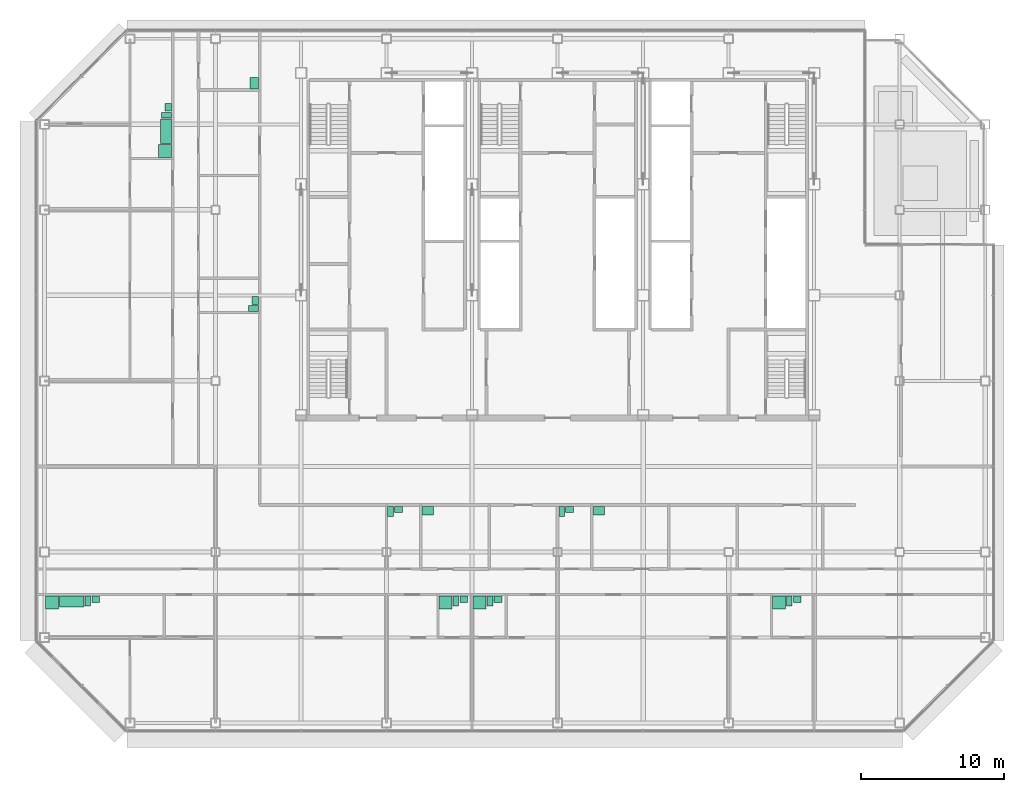
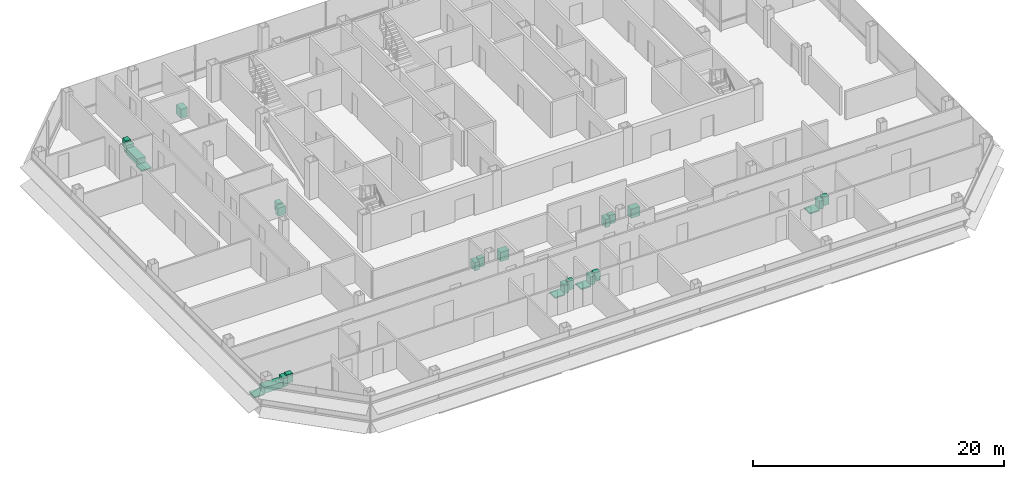
# One storey, part 28 of 29: 26 sanitary terminals.
"""IFC4 building model written with IfcOpenShell, lengths in metres."""

from ifc_helpers import new_model, si_unit, direction, frame, origin, origin_2d, place, context, subcontext, project, spatial, rectangle, extrude, element, save


model = new_model("IFC4")

# Units and contexts
model_context = context("Model", 3, precision=1e-05, world=origin(), true_north=direction((0.0, 1.0)))
body_context = subcontext(model_context, "Body", "Model", "MODEL_VIEW")
ifc_project = project(units=[si_unit("LENGTHUNIT", "METRE"), si_unit("AREAUNIT", "SQUARE_METRE"), si_unit("VOLUMEUNIT", "CUBIC_METRE"), si_unit("PLANEANGLEUNIT", "RADIAN"), si_unit("MASSUNIT", "GRAM", prefix="KILO")], contexts=[model_context])

# Site, building, storey
site_placement = place(None, origin())
site = spatial("IfcSite", under=ifc_project, at=site_placement, CompositionType="ELEMENT")
building_placement = place(site_placement, origin())
building = spatial("IfcBuilding", under=site, at=building_placement, Name="Sorahane Residences", CompositionType="ELEMENT")
storey_placement = place(building_placement, frame((0.0, 0.0, 199.199951171875)))
storey = spatial("IfcBuildingStorey", under=building, at=storey_placement, Name="L46", CompositionType="ELEMENT", Elevation=199.199951171875)

# Sanitary terminals
sanitary_terminal_1_placement = place(storey_placement, frame((-11.469970703125, 8.449951171875, 0.0), z_axis=(0.0, 0.0, 1.0), x_axis=(1.0, 0.0, 0.0)))
element("IfcSanitaryTerminal", 1, at=sanitary_terminal_1_placement, inside=storey, Name="Shower tray En-suite bathroom 46A", PredefinedType="SHOWER", context=body_context, shape_type="SweptSolid", body=[
    extrude(rectangle(XDim=0.89990234375, YDim=0.89990234375, at=origin_2d()), origin(), (0.0, 0.0, 1.0), 0.1201171875),
])
sanitary_terminal_2_placement = place(storey_placement, frame((-10.090087890625, 8.52490234375, 0.0), z_axis=(0.0, 0.0, 1.0), x_axis=(1.0, 0.0, 0.0)))
element("IfcSanitaryTerminal", 2, at=sanitary_terminal_2_placement, inside=storey, Name="Bath En-suite bathroom 46A", PredefinedType="BATH", context=body_context, shape_type="SweptSolid", body=[
    extrude(rectangle(XDim=1.699951171875, YDim=0.75, at=origin_2d()), origin(), (0.0, 0.0, 1.0), 0.56005859375),
])
sanitary_terminal_3_placement = place(storey_placement, frame((-8.9599609375, 8.550048828125, 0.0), z_axis=(0.0, 0.0, 1.0), x_axis=(1.0, 0.0, 0.0)))
element("IfcSanitaryTerminal", 3, at=sanitary_terminal_3_placement, inside=storey, Name="WC pan En-suite bathroom 46A", PredefinedType="TOILETPAN", context=body_context, shape_type="SweptSolid", body=[
    extrude(rectangle(XDim=0.39990234375, YDim=0.699951171875, at=origin_2d()), origin(), (0.0, 0.0, 1.0), 0.800048828125),
])
sanitary_terminal_4_placement = place(storey_placement, frame((-8.405029296875, 8.675048828125, 0.0), z_axis=(0.0, 0.0, 1.0), x_axis=(1.0, 0.0, 0.0)))
element("IfcSanitaryTerminal", 4, at=sanitary_terminal_4_placement, inside=storey, Name="Wash basin En-suite bathroom 46A", PredefinedType="WASHHANDBASIN", context=body_context, shape_type="SweptSolid", body=[
    extrude(rectangle(XDim=0.550048828125, YDim=0.449951171875, at=origin_2d()), origin(), (0.0, 0.0, 1.0), 0.85009765625),
])
sanitary_terminal_5_placement = place(storey_placement, frame((16.1298828125, 8.449951171875, 0.0), z_axis=(0.0, 0.0, 1.0), x_axis=(1.0, 0.0, 0.0)))
element("IfcSanitaryTerminal", 5, at=sanitary_terminal_5_placement, inside=storey, Name="Shower tray En-suite bathroom 46A-2", PredefinedType="SHOWER", context=body_context, shape_type="SweptSolid", body=[
    extrude(rectangle(XDim=0.89990234375, YDim=0.89990234375, at=origin_2d()), origin(), (0.0, 0.0, 1.0), 0.1201171875),
])
sanitary_terminal_6_placement = place(storey_placement, frame((16.860107421875, 8.550048828125, 0.0), z_axis=(0.0, 0.0, 1.0), x_axis=(1.0, 0.0, 0.0)))
element("IfcSanitaryTerminal", 6, at=sanitary_terminal_6_placement, inside=storey, Name="WC pan En-suite bathroom 46A-2", PredefinedType="TOILETPAN", context=body_context, shape_type="SweptSolid", body=[
    extrude(rectangle(XDim=0.39990234375, YDim=0.699951171875, at=origin_2d()), origin(), (0.0, 0.0, 1.0), 0.800048828125),
])
sanitary_terminal_7_placement = place(storey_placement, frame((17.4150390625, 8.675048828125, 0.0), z_axis=(0.0, 0.0, 1.0), x_axis=(1.0, 0.0, 0.0)))
element("IfcSanitaryTerminal", 7, at=sanitary_terminal_7_placement, inside=storey, Name="Wash basin En-suite bathroom 46A-2", PredefinedType="WASHHANDBASIN", context=body_context, shape_type="SweptSolid", body=[
    extrude(rectangle(XDim=0.550048828125, YDim=0.449951171875, at=origin_2d()), origin(), (0.0, 0.0, 1.0), 0.85009765625),
])
sanitary_terminal_8_placement = place(storey_placement, frame((18.530029296875, 8.449951171875, 0.0), z_axis=(0.0, 0.0, 1.0), x_axis=(1.0, 0.0, 0.0)))
element("IfcSanitaryTerminal", 8, at=sanitary_terminal_8_placement, inside=storey, Name="Shower tray En-suite bathroom 46A-3", PredefinedType="SHOWER", context=body_context, shape_type="SweptSolid", body=[
    extrude(rectangle(XDim=0.89990234375, YDim=0.89990234375, at=origin_2d()), origin(), (0.0, 0.0, 1.0), 0.1201171875),
])
sanitary_terminal_9_placement = place(storey_placement, frame((19.260009765625, 8.550048828125, 0.0), z_axis=(0.0, 0.0, 1.0), x_axis=(1.0, 0.0, 0.0)))
element("IfcSanitaryTerminal", 9, at=sanitary_terminal_9_placement, inside=storey, Name="WC pan En-suite bathroom 46A-3", PredefinedType="TOILETPAN", context=body_context, shape_type="SweptSolid", body=[
    extrude(rectangle(XDim=0.39990234375, YDim=0.699951171875, at=origin_2d()), origin(), (0.0, 0.0, 1.0), 0.800048828125),
])
sanitary_terminal_10_placement = place(storey_placement, frame((19.81494140625, 8.675048828125, 0.0), z_axis=(0.0, 0.0, 1.0), x_axis=(1.0, 0.0, 0.0)))
element("IfcSanitaryTerminal", 10, at=sanitary_terminal_10_placement, inside=storey, Name="Wash basin En-suite bathroom 46A-3", PredefinedType="WASHHANDBASIN", context=body_context, shape_type="SweptSolid", body=[
    extrude(rectangle(XDim=0.550048828125, YDim=0.449951171875, at=origin_2d()), origin(), (0.0, 0.0, 1.0), 0.85009765625),
])
sanitary_terminal_11_placement = place(storey_placement, frame((12.280029296875, 14.85009765625, 0.0), z_axis=(0.0, 0.0, 1.0), x_axis=(1.0, 0.0, 0.0)))
element("IfcSanitaryTerminal", 11, at=sanitary_terminal_11_placement, inside=storey, Name="WC pan Powder room 46A", PredefinedType="TOILETPAN", context=body_context, shape_type="SweptSolid", body=[
    extrude(rectangle(XDim=0.39990234375, YDim=0.699951171875, at=origin_2d()), origin(), (0.0, 0.0, 1.0), 0.800048828125),
])
sanitary_terminal_12_placement = place(storey_placement, frame((12.8349609375, 14.97509765625, 0.0), z_axis=(0.0, 0.0, 1.0), x_axis=(1.0, 0.0, 0.0)))
element("IfcSanitaryTerminal", 12, at=sanitary_terminal_12_placement, inside=storey, Name="Wash basin Powder room 46A", PredefinedType="WASHHANDBASIN", context=body_context, shape_type="SweptSolid", body=[
    extrude(rectangle(XDim=0.550048828125, YDim=0.449951171875, at=origin_2d()), origin(), (0.0, 0.0, 1.0), 0.85009765625),
])
sanitary_terminal_13_placement = place(storey_placement, frame((14.8798828125, 14.89990234375, 0.0), z_axis=(0.0, 0.0, 1.0), x_axis=(1.0, 0.0, 0.0)))
element("IfcSanitaryTerminal", 13, at=sanitary_terminal_13_placement, inside=storey, Name="Kitchen sink Kitchen 46A", PredefinedType="SINK", context=body_context, shape_type="SweptSolid", body=[
    extrude(rectangle(XDim=0.800048828125, YDim=0.60009765625, at=origin_2d()), origin(), (0.0, 0.0, 1.0), 0.89990234375),
])
sanitary_terminal_14_placement = place(storey_placement, frame((39.530029296875, 8.449951171875, 0.0), z_axis=(0.0, 0.0, 1.0), x_axis=(1.0, 0.0, 0.0)))
element("IfcSanitaryTerminal", 14, at=sanitary_terminal_14_placement, inside=storey, Name="Shower tray En-suite bathroom 46B", PredefinedType="SHOWER", context=body_context, shape_type="SweptSolid", body=[
    extrude(rectangle(XDim=0.89990234375, YDim=0.89990234375, at=origin_2d()), origin(), (0.0, 0.0, 1.0), 0.1201171875),
])
sanitary_terminal_15_placement = place(storey_placement, frame((40.260009765625, 8.550048828125, 0.0), z_axis=(0.0, 0.0, 1.0), x_axis=(1.0, 0.0, 0.0)))
element("IfcSanitaryTerminal", 15, at=sanitary_terminal_15_placement, inside=storey, Name="WC pan En-suite bathroom 46B", PredefinedType="TOILETPAN", context=body_context, shape_type="SweptSolid", body=[
    extrude(rectangle(XDim=0.39990234375, YDim=0.699951171875, at=origin_2d()), origin(), (0.0, 0.0, 1.0), 0.800048828125),
])
sanitary_terminal_16_placement = place(storey_placement, frame((40.81494140625, 8.675048828125, 0.0), z_axis=(0.0, 0.0, 1.0), x_axis=(1.0, 0.0, 0.0)))
element("IfcSanitaryTerminal", 16, at=sanitary_terminal_16_placement, inside=storey, Name="Wash basin En-suite bathroom 46B", PredefinedType="WASHHANDBASIN", context=body_context, shape_type="SweptSolid", body=[
    extrude(rectangle(XDim=0.550048828125, YDim=0.449951171875, at=origin_2d()), origin(), (0.0, 0.0, 1.0), 0.85009765625),
])
sanitary_terminal_17_placement = place(storey_placement, frame((24.280029296875, 14.85009765625, 0.0), z_axis=(0.0, 0.0, 1.0), x_axis=(1.0, 0.0, 0.0)))
element("IfcSanitaryTerminal", 17, at=sanitary_terminal_17_placement, inside=storey, Name="WC pan Powder room 46B", PredefinedType="TOILETPAN", context=body_context, shape_type="SweptSolid", body=[
    extrude(rectangle(XDim=0.39990234375, YDim=0.699951171875, at=origin_2d()), origin(), (0.0, 0.0, 1.0), 0.800048828125),
])
sanitary_terminal_18_placement = place(storey_placement, frame((24.8349609375, 14.97509765625, 0.0), z_axis=(0.0, 0.0, 1.0), x_axis=(1.0, 0.0, 0.0)))
element("IfcSanitaryTerminal", 18, at=sanitary_terminal_18_placement, inside=storey, Name="Wash basin Powder room 46B", PredefinedType="WASHHANDBASIN", context=body_context, shape_type="SweptSolid", body=[
    extrude(rectangle(XDim=0.550048828125, YDim=0.449951171875, at=origin_2d()), origin(), (0.0, 0.0, 1.0), 0.85009765625),
])
sanitary_terminal_19_placement = place(storey_placement, frame((26.8798828125, 14.89990234375, 0.0), z_axis=(0.0, 0.0, 1.0), x_axis=(1.0, 0.0, 0.0)))
element("IfcSanitaryTerminal", 19, at=sanitary_terminal_19_placement, inside=storey, Name="Kitchen sink Kitchen 46B", PredefinedType="SINK", context=body_context, shape_type="SweptSolid", body=[
    extrude(rectangle(XDim=0.800048828125, YDim=0.60009765625, at=origin_2d()), origin(), (0.0, 0.0, 1.0), 0.89990234375),
])
sanitary_terminal_20_placement = place(storey_placement, frame((-3.550048828125, 40.1298828125, 0.0), z_axis=(0.0, 0.0, 1.0), x_axis=(0.0, -1.0, 0.0)))
element("IfcSanitaryTerminal", 20, at=sanitary_terminal_20_placement, inside=storey, Name="Shower tray En-suite bathroom 46C", PredefinedType="SHOWER", context=body_context, shape_type="SweptSolid", body=[
    extrude(rectangle(XDim=0.89990234375, YDim=0.89990234375, at=origin_2d()), origin(), (0.0, 0.0, 1.0), 0.1201171875),
])
sanitary_terminal_21_placement = place(storey_placement, frame((-3.47509765625, 41.510009765625, 0.0), z_axis=(0.0, 0.0, 1.0), x_axis=(0.0, -1.0, 0.0)))
element("IfcSanitaryTerminal", 21, at=sanitary_terminal_21_placement, inside=storey, Name="Bath En-suite bathroom 46C", PredefinedType="BATH", context=body_context, shape_type="SweptSolid", body=[
    extrude(rectangle(XDim=1.699951171875, YDim=0.75, at=origin_2d()), origin(), (0.0, 0.0, 1.0), 0.56005859375),
])
sanitary_terminal_22_placement = place(storey_placement, frame((-3.449951171875, 42.639892578125, 0.0), z_axis=(0.0, 0.0, 1.0), x_axis=(0.0, -1.0, 0.0)))
element("IfcSanitaryTerminal", 22, at=sanitary_terminal_22_placement, inside=storey, Name="WC pan En-suite bathroom 46C", PredefinedType="TOILETPAN", context=body_context, shape_type="SweptSolid", body=[
    extrude(rectangle(XDim=0.39990234375, YDim=0.699951171875, at=origin_2d()), origin(), (0.0, 0.0, 1.0), 0.800048828125),
])
sanitary_terminal_23_placement = place(storey_placement, frame((-3.324951171875, 43.195068359375, 0.0), z_axis=(0.0, 0.0, 1.0), x_axis=(0.0, -1.0, 0.0)))
element("IfcSanitaryTerminal", 23, at=sanitary_terminal_23_placement, inside=storey, Name="Wash basin En-suite bathroom 46C", PredefinedType="WASHHANDBASIN", context=body_context, shape_type="SweptSolid", body=[
    extrude(rectangle(XDim=0.550048828125, YDim=0.449951171875, at=origin_2d()), origin(), (0.0, 0.0, 1.0), 0.85009765625),
])
sanitary_terminal_24_placement = place(storey_placement, frame((2.64990234375, 29.080078125, 0.0), z_axis=(0.0, 0.0, 1.0), x_axis=(0.0, -1.0, 0.0)))
element("IfcSanitaryTerminal", 24, at=sanitary_terminal_24_placement, inside=storey, Name="WC pan Guest WC 46C", PredefinedType="TOILETPAN", context=body_context, shape_type="SweptSolid", body=[
    extrude(rectangle(XDim=0.39990234375, YDim=0.699951171875, at=origin_2d()), origin(), (0.0, 0.0, 1.0), 0.800048828125),
])
sanitary_terminal_25_placement = place(storey_placement, frame((2.77490234375, 29.635009765625, 0.0), z_axis=(0.0, 0.0, 1.0), x_axis=(0.0, -1.0, 0.0)))
element("IfcSanitaryTerminal", 25, at=sanitary_terminal_25_placement, inside=storey, Name="Wash basin Guest WC 46C", PredefinedType="WASHHANDBASIN", context=body_context, shape_type="SweptSolid", body=[
    extrude(rectangle(XDim=0.550048828125, YDim=0.449951171875, at=origin_2d()), origin(), (0.0, 0.0, 1.0), 0.85009765625),
])
sanitary_terminal_26_placement = place(storey_placement, frame((2.699951171875, 44.8798828125, 0.0), z_axis=(0.0, 0.0, 1.0), x_axis=(0.0, -1.0, 0.0)))
element("IfcSanitaryTerminal", 26, at=sanitary_terminal_26_placement, inside=storey, Name="Kitchen sink Kitchen 46C", PredefinedType="SINK", context=body_context, shape_type="SweptSolid", body=[
    extrude(rectangle(XDim=0.800048828125, YDim=0.60009765625, at=origin_2d()), origin(), (0.0, 0.0, 1.0), 0.89990234375),
])

save(model, "model.ifc")
